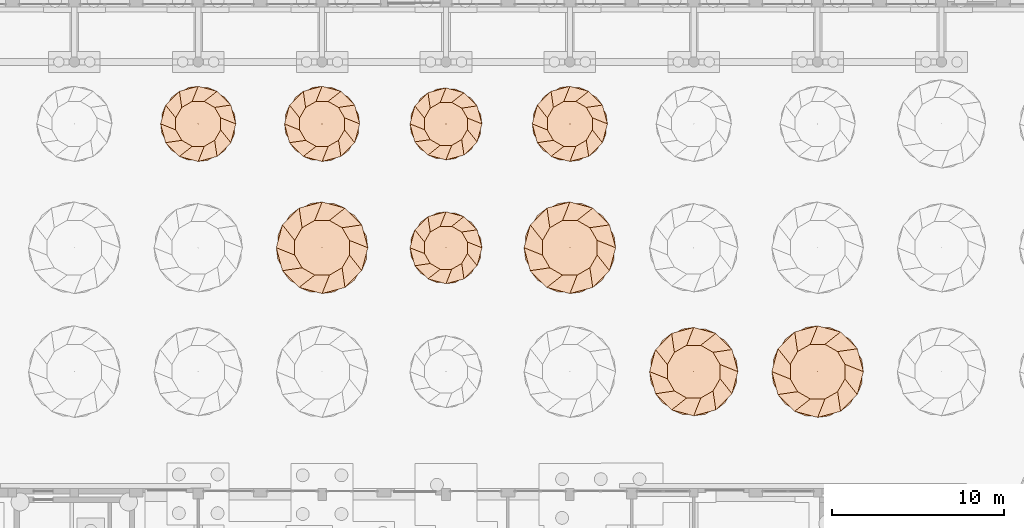
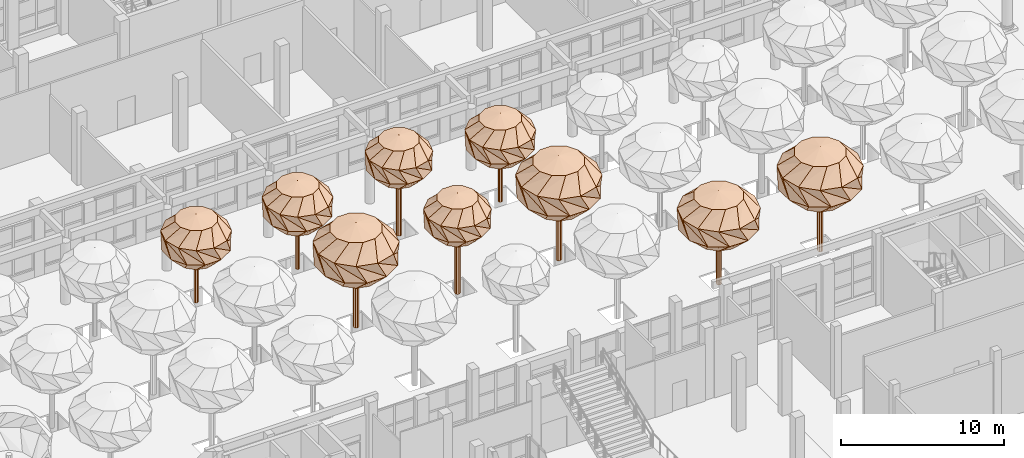
# One storey, part 78 of 80: 9 geographic elements.
"""IFC4 building model written with IfcOpenShell, lengths in metres."""

import ifcopenshell
import ifcopenshell.guid

model = None  # the IFC model being written
_history = None  # IfcOwnerHistory: only IFC2X3 demands one
_inside = {}  # id of a spatial element -> (the spatial element, [elements in it])
_under = {}  # id of a project, library or spatial element -> (it, [spatial elements below it])
_declared = {}  # id of a project -> (the project, [libraries it declares])
_typed = {}  # id of a type object -> (the type object, [elements of that type])
_made_of = {}  # id of a material, layer set ... -> (it, [elements and type objects made of it])


def new_model(schema):
    """Start an empty IFC model of exactly this schema.

    Asked for "IFC4X3", IfcOpenShell would pick the latest addendum, in which some entities
    have other attributes; the version numbers below select the first issue.
    IFC2X3 requires an IfcOwnerHistory on every rooted entity: one is made here for all.
    """
    global model, _history
    if schema == "IFC4X3":
        model = ifcopenshell.file(schema_version=(4, 3, 0, 0))
    else:
        model = ifcopenshell.file(schema=schema)
    _inside.clear()
    _under.clear()
    _declared.clear()
    _typed.clear()
    _made_of.clear()
    _history = None
    if model.schema == "IFC2X3":
        org = make("IfcOrganization", Name="unknown")
        user = make(
            "IfcPersonAndOrganization",
            ThePerson=make("IfcPerson", FamilyName="unknown"),
            TheOrganization=org,
        )
        app = make(
            "IfcApplication",
            ApplicationDeveloper=org,
            Version="unknown",
            ApplicationFullName="unknown",
            ApplicationIdentifier="unknown",
        )
        _history = make(
            "IfcOwnerHistory",
            OwningUser=user,
            OwningApplication=app,
            ChangeAction="ADDED",
            CreationDate=0,
        )
    return model


def make(cls, **values):
    """One entity of the class cls with the attributes given. An attribute that is None is left unset."""
    return model.create_entity(
        cls, **{name: value for name, value in values.items() if value is not None}
    )


def rooted(cls, **values):
    """An entity with a GlobalId (a new one), such as an element, a storey or a relation."""
    return make(cls, GlobalId=ifcopenshell.guid.new(), OwnerHistory=_history, **values)


def si_unit(unit_type, name, prefix=None):
    """IfcSIUnit, for example si_unit("LENGTHUNIT", "METRE", prefix="MILLI")."""
    return make("IfcSIUnit", UnitType=unit_type, Prefix=prefix, Name=name)


def assignment(units):
    """IfcUnitAssignment: the units of a project."""
    return None if units is None else make("IfcUnitAssignment", Units=units)


def point(xyz):
    """IfcCartesianPoint."""
    return None if xyz is None else make("IfcCartesianPoint", Coordinates=xyz)


def direction(xyz):
    """IfcDirection."""
    return None if xyz is None else make("IfcDirection", DirectionRatios=xyz)


def frame(location, z_axis=None, x_axis=None):
    """IfcAxis2Placement3D, a coordinate frame: its origin and axes. An axis left out is left unset."""
    return make(
        "IfcAxis2Placement3D",
        Location=point(location),
        Axis=direction(z_axis),
        RefDirection=direction(x_axis),
    )


def origin():
    """The frame at (0, 0, 0) with its axes left unset."""
    return frame((0.0, 0.0, 0.0))


def place(relative_to, where):
    """IfcLocalPlacement: puts the frame where relative to a parent placement (None: the world)."""
    return make(
        "IfcLocalPlacement", PlacementRelTo=relative_to, RelativePlacement=where
    )


def context(
    kind, dimensions, precision=None, world=None, true_north=None, identifier=None
):
    """IfcGeometricRepresentationContext, for example the 3D "Model" context."""
    return make(
        "IfcGeometricRepresentationContext",
        ContextIdentifier=identifier,
        ContextType=kind,
        CoordinateSpaceDimension=dimensions,
        Precision=precision,
        WorldCoordinateSystem=world,
        TrueNorth=true_north,
    )


def subcontext(parent, identifier, kind, view, scale=None):
    """IfcGeometricRepresentationSubContext, for example "Body" below "Model"."""
    return make(
        "IfcGeometricRepresentationSubContext",
        ContextIdentifier=identifier,
        ContextType=kind,
        ParentContext=parent,
        TargetScale=scale,
        TargetView=view,
    )


def project(units=None, contexts=None):
    """IfcProject with its units and contexts."""
    return rooted(
        "IfcProject",
        Name="project",
        RepresentationContexts=contexts,
        UnitsInContext=assignment(units),
    )


def spatial(cls, under=None, at=None, **own):
    """A site, building, storey or space (cls), placed at a placement, below another one or the project."""
    s = rooted(cls, ObjectPlacement=at, **own)
    if under is not None:
        _under.setdefault(under.id(), (under, []))[1].append(s)
    return s


def point_list(points):
    """IfcCartesianPointList2D or 3D."""
    cls = (
        "IfcCartesianPointList2D" if len(points[0]) == 2 else "IfcCartesianPointList3D"
    )
    return make(cls, CoordList=points)


def triangles(points, corners, closed=None, point_numbers=None):
    """IfcTriangulatedFaceSet: each triangle names its three corners, points numbered from 1."""
    return make(
        "IfcTriangulatedFaceSet",
        Coordinates=point_list(points),
        Closed=closed,
        CoordIndex=corners,
        PnIndex=point_numbers,
    )


def shape(context_of_items, identifier, shape_type, items):
    """IfcShapeRepresentation: the items that make up one representation, for example the "Body"."""
    return make(
        "IfcShapeRepresentation",
        ContextOfItems=context_of_items,
        RepresentationIdentifier=identifier,
        RepresentationType=shape_type,
        Items=items,
    )


def material(Name=None, Category=None):
    """IfcMaterial."""
    return make("IfcMaterial", Name=Name, Category=Category)


def made_of(thing, what):
    """Note that an element or type object is made of a material, layer set ...; save() writes the relation."""
    if what is not None:
        _made_of.setdefault(what.id(), (what, []))[1].append(thing)
    return thing


def type_object(cls, material=None, **own):
    """A type object (cls), such as IfcWallType, which elements share."""
    return made_of(rooted(cls, **own), material)


def element(
    cls,
    number,
    at=None,
    inside=None,
    cuts=None,
    type_object=None,
    material=None,
    context=None,
    identifier="Body",
    shape_type=None,
    held_by="IfcProductDefinitionShape",
    body=None,
    shapes=None,
    **own,
):
    """One element of the class cls, such as IfcWall. Its Tag is "e" and its number.

    at: its placement. inside: the storey or other place that contains it. cuts: it is an
    opening in that element (IfcRelVoidsElement). A single representation is given by context,
    identifier, shape_type and body (its items); several are given by shapes. held_by: the class
    of the entity that holds the representations. save() writes the other relations.
    """
    e = rooted(cls, Tag="e%d" % number, ObjectPlacement=at, **own)
    if body is not None:
        shapes = [shape(context, identifier, shape_type, body)]
    if shapes is not None:
        e.Representation = make(held_by, Representations=shapes)
    if inside is not None:
        _inside.setdefault(inside.id(), (inside, []))[1].append(e)
    if cuts is not None:
        rooted(
            "IfcRelVoidsElement", RelatingBuildingElement=cuts, RelatedOpeningElement=e
        )
    if type_object is not None:
        _typed.setdefault(type_object.id(), (type_object, []))[1].append(e)
    return made_of(e, material)


def aggregate(whole, parts):
    """IfcRelAggregates: a whole, such as a stair, and the parts it consists of."""
    return rooted("IfcRelAggregates", RelatingObject=whole, RelatedObjects=parts)


def save(model, path):
    """Write the relations noted so far, then the file.

    IfcRelAggregates (storeys below a building ...), IfcRelContainedInSpatialStructure (elements
    in a storey), IfcRelDefinesByType, IfcRelAssociatesMaterial and IfcRelDeclares: one each for
    every whole, place, type object, material and project.
    """
    for whole, parts in _under.values():
        aggregate(whole, parts)
    for where, things in _inside.values():
        rooted(
            "IfcRelContainedInSpatialStructure",
            RelatedElements=things,
            RelatingStructure=where,
        )
    for kind, things in _typed.values():
        rooted("IfcRelDefinesByType", RelatedObjects=things, RelatingType=kind)
    for what, things in _made_of.values():
        rooted("IfcRelAssociatesMaterial", RelatedObjects=things, RelatingMaterial=what)
    for by, libraries in _declared.values():
        rooted("IfcRelDeclares", RelatingContext=by, RelatedDefinitions=libraries)
    model.write(path)


model = new_model("IFC4")

# Units and contexts
model_context = context("Model", 3, precision=1e-05, world=origin(), true_north=direction((0.0, 1.0)))
body_context = subcontext(model_context, "Body", "Model", "MODEL_VIEW")
ifc_project = project(units=[si_unit("LENGTHUNIT", "METRE"), si_unit("AREAUNIT", "SQUARE_METRE"), si_unit("VOLUMEUNIT", "CUBIC_METRE"), si_unit("PLANEANGLEUNIT", "RADIAN"), si_unit("MASSUNIT", "GRAM", prefix="KILO")], contexts=[model_context])

# Site, building, storey
site_placement = place(None, origin())
site = spatial("IfcSite", under=ifc_project, at=site_placement, CompositionType="ELEMENT")
building_placement = place(site_placement, origin())
building = spatial("IfcBuilding", under=site, at=building_placement, Name="Ussher Court Research Institute", CompositionType="ELEMENT")
storey_placement = place(building_placement, origin())
storey = spatial("IfcBuildingStorey", under=building, at=storey_placement, Name="L00", CompositionType="ELEMENT", Elevation=0.0)

# Geographic elements
ifc_material_1 = material(Name="Tree foliage and trunk")
geographic_element_type_1 = type_object("IfcGeographicElementType", Name="African mahogany 7.8 m", PredefinedType="USERDEFINED", material=ifc_material_1)
geographic_element_1_placement = place(storey_placement, frame((75.0, 47.199951171875, -0.320068359375)))
element("IfcGeographicElement", 1, at=geographic_element_1_placement, inside=storey, type_object=geographic_element_type_1, Name="T20 African mahogany", ObjectType="TREE", PredefinedType="USERDEFINED", context=body_context, shape_type="Tessellation", body=[
    triangles([(0.1899, 0.0, 0.0), (0.1343, 0.1343, 0.0), (0.0, 0.1899, 0.0), (-0.1343, 0.1343, 0.0), (-0.1899, 0.0, 0.0), (-0.1343, -0.1343, 0.0), (0.0, -0.1899, 0.0), (0.1343, -0.1343, 0.0), (0.1899, 0.0, 4.8601), (0.1343, 0.1343, 4.8601), (0.0, 0.1899, 4.8601), (-0.1343, 0.1343, 4.8601), (-0.1899, 0.0, 4.8601), (-0.1343, -0.1343, 4.8601), (0.0, -0.1899, 4.8601), (0.1343, -0.1343, 4.8601), (0.0, 0.0, 7.8), (1.5897, 0.426, 7.399), (1.1638, 1.1638, 7.399), (0.426, 1.5897, 7.399), (-0.426, 1.5897, 7.399), (-1.1638, 1.1638, 7.399), (-1.5897, 0.426, 7.399), (-1.5897, -0.426, 7.399), (-1.1638, -1.1638, 7.399), (-0.426, -1.5897, 7.399), (0.426, -1.5897, 7.399), (1.1638, -1.1638, 7.399), (1.5897, -0.426, 7.399), (2.663, 0.0, 6.349), (2.3062, 1.3315, 6.349), (1.3315, 2.3062, 6.349), (0.0, 2.663, 6.349), (-1.3315, 2.3062, 6.349), (-2.3062, 1.3315, 6.349), (-2.663, 0.0, 6.349), (-2.3062, -1.3315, 6.349), (-1.3315, -2.3062, 6.349), (0.0, -2.663, 6.349), (1.3315, -2.3062, 6.349), (2.3062, -1.3315, 6.349), (2.5723, 0.6892, 5.0511), (1.883, 1.883, 5.0511), (0.6892, 2.5723, 5.0511), (-0.6892, 2.5723, 5.0511), (-1.883, 1.883, 5.0511), (-2.5723, 0.6892, 5.0511), (-2.5723, -0.6892, 5.0511), (-1.883, -1.883, 5.0511), (-0.6892, -2.5723, 5.0511), (0.6892, -2.5723, 5.0511), (1.883, -1.883, 5.0511), (2.5723, -0.6892, 5.0511), (1.6458, 0.0, 4.0012), (1.4253, 0.8229, 4.0012), (0.8229, 1.4253, 4.0012), (0.0, 1.6458, 4.0012), (-0.8229, 1.4253, 4.0012), (-1.4253, 0.8229, 4.0012), (-1.6458, 0.0, 4.0012), (-1.4253, -0.8229, 4.0012), (-0.8229, -1.4253, 4.0012), (0.0, -1.6458, 4.0012), (0.8229, -1.4253, 4.0012), (1.4253, -0.8229, 4.0012), (0.0, 0.0, 3.6001)], [[1, 2, 9], [2, 10, 9], [2, 3, 10], [3, 11, 10], [3, 4, 11], [4, 12, 11], [4, 5, 12], [5, 13, 12], [5, 6, 13], [6, 14, 13], [6, 7, 14], [7, 15, 14], [7, 8, 15], [8, 16, 15], [8, 1, 16], [1, 9, 16], [1, 3, 2], [9, 10, 11], [1, 4, 3], [9, 11, 12], [1, 5, 4], [9, 12, 13], [1, 6, 5], [9, 13, 14], [1, 7, 6], [9, 14, 15], [1, 8, 7], [9, 15, 16], [17, 18, 19], [17, 19, 20], [17, 20, 21], [17, 21, 22], [17, 22, 23], [17, 23, 24], [17, 24, 25], [17, 25, 26], [17, 26, 27], [17, 27, 28], [17, 28, 29], [17, 29, 18], [18, 30, 19], [19, 30, 31], [19, 31, 20], [20, 31, 32], [20, 32, 21], [21, 32, 33], [21, 33, 22], [22, 33, 34], [22, 34, 23], [23, 34, 35], [23, 35, 24], [24, 35, 36], [24, 36, 25], [25, 36, 37], [25, 37, 26], [26, 37, 38], [26, 38, 27], [27, 38, 39], [27, 39, 28], [28, 39, 40], [28, 40, 29], [29, 40, 41], [29, 41, 18], [18, 41, 30], [30, 43, 31], [30, 42, 43], [31, 44, 32], [31, 43, 44], [32, 45, 33], [32, 44, 45], [33, 46, 34], [33, 45, 46], [34, 47, 35], [34, 46, 47], [35, 48, 36], [35, 47, 48], [36, 49, 37], [36, 48, 49], [37, 50, 38], [37, 49, 50], [38, 51, 39], [38, 50, 51], [39, 52, 40], [39, 51, 52], [40, 53, 41], [40, 52, 53], [41, 42, 30], [41, 53, 42], [42, 54, 43], [43, 54, 55], [43, 55, 44], [44, 55, 56], [44, 56, 45], [45, 56, 57], [45, 57, 46], [46, 57, 58], [46, 58, 47], [47, 58, 59], [47, 59, 48], [48, 59, 60], [48, 60, 49], [49, 60, 61], [49, 61, 50], [50, 61, 62], [50, 62, 51], [51, 62, 63], [51, 63, 52], [52, 63, 64], [52, 64, 53], [53, 64, 65], [53, 65, 42], [42, 65, 54], [66, 55, 54], [66, 56, 55], [66, 57, 56], [66, 58, 57], [66, 59, 58], [66, 60, 59], [66, 61, 60], [66, 62, 61], [66, 63, 62], [66, 64, 63], [66, 65, 64], [66, 54, 65]], closed=False),
])
geographic_element_2_placement = place(storey_placement, frame((46.199951171875, 54.39990234375, -0.320068359375)))
element("IfcGeographicElement", 2, at=geographic_element_2_placement, inside=storey, type_object=geographic_element_type_1, Name="T24 African mahogany", ObjectType="TREE", PredefinedType="USERDEFINED", context=body_context, shape_type="Tessellation", body=[
    triangles([(0.1899, 0.0, 0.0), (0.1343, 0.1343, 0.0), (0.0, 0.1899, 0.0), (-0.1343, 0.1343, 0.0), (-0.1899, 0.0, 0.0), (-0.1343, -0.1343, 0.0), (0.0, -0.1899, 0.0), (0.1343, -0.1343, 0.0), (0.1899, 0.0, 4.8601), (0.1343, 0.1343, 4.8601), (0.0, 0.1899, 4.8601), (-0.1343, 0.1343, 4.8601), (-0.1899, 0.0, 4.8601), (-0.1343, -0.1343, 4.8601), (0.0, -0.1899, 4.8601), (0.1343, -0.1343, 4.8601), (0.0, 0.0, 7.8), (1.5897, 0.426, 7.399), (1.1638, 1.1638, 7.399), (0.426, 1.5897, 7.399), (-0.426, 1.5897, 7.399), (-1.1638, 1.1638, 7.399), (-1.5897, 0.426, 7.399), (-1.5897, -0.426, 7.399), (-1.1638, -1.1638, 7.399), (-0.426, -1.5897, 7.399), (0.426, -1.5897, 7.399), (1.1638, -1.1638, 7.399), (1.5897, -0.426, 7.399), (2.663, 0.0, 6.349), (2.3062, 1.3315, 6.349), (1.3315, 2.3062, 6.349), (0.0, 2.663, 6.349), (-1.3315, 2.3062, 6.349), (-2.3062, 1.3315, 6.349), (-2.663, 0.0, 6.349), (-2.3062, -1.3315, 6.349), (-1.3315, -2.3062, 6.349), (0.0, -2.663, 6.349), (1.3315, -2.3062, 6.349), (2.3062, -1.3315, 6.349), (2.5723, 0.6892, 5.0511), (1.883, 1.883, 5.0511), (0.6892, 2.5723, 5.0511), (-0.6892, 2.5723, 5.0511), (-1.883, 1.883, 5.0511), (-2.5723, 0.6892, 5.0511), (-2.5723, -0.6892, 5.0511), (-1.883, -1.883, 5.0511), (-0.6892, -2.5723, 5.0511), (0.6892, -2.5723, 5.0511), (1.883, -1.883, 5.0511), (2.5723, -0.6892, 5.0511), (1.6458, 0.0, 4.0012), (1.4253, 0.8229, 4.0012), (0.8229, 1.4253, 4.0012), (0.0, 1.6458, 4.0012), (-0.8229, 1.4253, 4.0012), (-1.4253, 0.8229, 4.0012), (-1.6458, 0.0, 4.0012), (-1.4253, -0.8229, 4.0012), (-0.8229, -1.4253, 4.0012), (0.0, -1.6458, 4.0012), (0.8229, -1.4253, 4.0012), (1.4253, -0.8229, 4.0012), (0.0, 0.0, 3.6001)], [[1, 2, 9], [2, 10, 9], [2, 3, 10], [3, 11, 10], [3, 4, 11], [4, 12, 11], [4, 5, 12], [5, 13, 12], [5, 6, 13], [6, 14, 13], [6, 7, 14], [7, 15, 14], [7, 8, 15], [8, 16, 15], [8, 1, 16], [1, 9, 16], [1, 3, 2], [9, 10, 11], [1, 4, 3], [9, 11, 12], [1, 5, 4], [9, 12, 13], [1, 6, 5], [9, 13, 14], [1, 7, 6], [9, 14, 15], [1, 8, 7], [9, 15, 16], [17, 18, 19], [17, 19, 20], [17, 20, 21], [17, 21, 22], [17, 22, 23], [17, 23, 24], [17, 24, 25], [17, 25, 26], [17, 26, 27], [17, 27, 28], [17, 28, 29], [17, 29, 18], [18, 30, 19], [19, 30, 31], [19, 31, 20], [20, 31, 32], [20, 32, 21], [21, 32, 33], [21, 33, 22], [22, 33, 34], [22, 34, 23], [23, 34, 35], [23, 35, 24], [24, 35, 36], [24, 36, 25], [25, 36, 37], [25, 37, 26], [26, 37, 38], [26, 38, 27], [27, 38, 39], [27, 39, 28], [28, 39, 40], [28, 40, 29], [29, 40, 41], [29, 41, 18], [18, 41, 30], [30, 43, 31], [30, 42, 43], [31, 44, 32], [31, 43, 44], [32, 45, 33], [32, 44, 45], [33, 46, 34], [33, 45, 46], [34, 47, 35], [34, 46, 47], [35, 48, 36], [35, 47, 48], [36, 49, 37], [36, 48, 49], [37, 50, 38], [37, 49, 50], [38, 51, 39], [38, 50, 51], [39, 52, 40], [39, 51, 52], [40, 53, 41], [40, 52, 53], [41, 42, 30], [41, 53, 42], [42, 54, 43], [43, 54, 55], [43, 55, 44], [44, 55, 56], [44, 56, 45], [45, 56, 57], [45, 57, 46], [46, 57, 58], [46, 58, 47], [47, 58, 59], [47, 59, 48], [48, 59, 60], [48, 60, 49], [49, 60, 61], [49, 61, 50], [50, 61, 62], [50, 62, 51], [51, 62, 63], [51, 63, 52], [52, 63, 64], [52, 64, 53], [53, 64, 65], [53, 65, 42], [42, 65, 54], [66, 55, 54], [66, 56, 55], [66, 57, 56], [66, 58, 57], [66, 59, 58], [66, 60, 59], [66, 61, 60], [66, 62, 61], [66, 63, 62], [66, 64, 63], [66, 65, 64], [66, 54, 65]], closed=False),
])
geographic_element_3_placement = place(storey_placement, frame((60.60009765625, 54.39990234375, -0.320068359375)))
element("IfcGeographicElement", 3, at=geographic_element_3_placement, inside=storey, type_object=geographic_element_type_1, Name="T25 African mahogany", ObjectType="TREE", PredefinedType="USERDEFINED", context=body_context, shape_type="Tessellation", body=[
    triangles([(0.1899, 0.0, 0.0), (0.1343, 0.1343, 0.0), (0.0, 0.1899, 0.0), (-0.1343, 0.1343, 0.0), (-0.1899, 0.0, 0.0), (-0.1343, -0.1343, 0.0), (0.0, -0.1899, 0.0), (0.1343, -0.1343, 0.0), (0.1899, 0.0, 4.8601), (0.1343, 0.1343, 4.8601), (0.0, 0.1899, 4.8601), (-0.1343, 0.1343, 4.8601), (-0.1899, 0.0, 4.8601), (-0.1343, -0.1343, 4.8601), (0.0, -0.1899, 4.8601), (0.1343, -0.1343, 4.8601), (0.0, 0.0, 7.8), (1.5897, 0.426, 7.399), (1.1638, 1.1638, 7.399), (0.426, 1.5897, 7.399), (-0.426, 1.5897, 7.399), (-1.1638, 1.1638, 7.399), (-1.5897, 0.426, 7.399), (-1.5897, -0.426, 7.399), (-1.1638, -1.1638, 7.399), (-0.426, -1.5897, 7.399), (0.426, -1.5897, 7.399), (1.1638, -1.1638, 7.399), (1.5897, -0.426, 7.399), (2.663, 0.0, 6.349), (2.3062, 1.3315, 6.349), (1.3315, 2.3062, 6.349), (0.0, 2.663, 6.349), (-1.3315, 2.3062, 6.349), (-2.3062, 1.3315, 6.349), (-2.663, 0.0, 6.349), (-2.3062, -1.3315, 6.349), (-1.3315, -2.3062, 6.349), (0.0, -2.663, 6.349), (1.3315, -2.3062, 6.349), (2.3062, -1.3315, 6.349), (2.5723, 0.6892, 5.0511), (1.883, 1.883, 5.0511), (0.6892, 2.5723, 5.0511), (-0.6892, 2.5723, 5.0511), (-1.883, 1.883, 5.0511), (-2.5723, 0.6892, 5.0511), (-2.5723, -0.6892, 5.0511), (-1.883, -1.883, 5.0511), (-0.6892, -2.5723, 5.0511), (0.6892, -2.5723, 5.0511), (1.883, -1.883, 5.0511), (2.5723, -0.6892, 5.0511), (1.6458, 0.0, 4.0012), (1.4253, 0.8229, 4.0012), (0.8229, 1.4253, 4.0012), (0.0, 1.6458, 4.0012), (-0.8229, 1.4253, 4.0012), (-1.4253, 0.8229, 4.0012), (-1.6458, 0.0, 4.0012), (-1.4253, -0.8229, 4.0012), (-0.8229, -1.4253, 4.0012), (0.0, -1.6458, 4.0012), (0.8229, -1.4253, 4.0012), (1.4253, -0.8229, 4.0012), (0.0, 0.0, 3.6001)], [[1, 2, 9], [2, 10, 9], [2, 3, 10], [3, 11, 10], [3, 4, 11], [4, 12, 11], [4, 5, 12], [5, 13, 12], [5, 6, 13], [6, 14, 13], [6, 7, 14], [7, 15, 14], [7, 8, 15], [8, 16, 15], [8, 1, 16], [1, 9, 16], [1, 3, 2], [9, 10, 11], [1, 4, 3], [9, 11, 12], [1, 5, 4], [9, 12, 13], [1, 6, 5], [9, 13, 14], [1, 7, 6], [9, 14, 15], [1, 8, 7], [9, 15, 16], [17, 18, 19], [17, 19, 20], [17, 20, 21], [17, 21, 22], [17, 22, 23], [17, 23, 24], [17, 24, 25], [17, 25, 26], [17, 26, 27], [17, 27, 28], [17, 28, 29], [17, 29, 18], [18, 30, 19], [19, 30, 31], [19, 31, 20], [20, 31, 32], [20, 32, 21], [21, 32, 33], [21, 33, 22], [22, 33, 34], [22, 34, 23], [23, 34, 35], [23, 35, 24], [24, 35, 36], [24, 36, 25], [25, 36, 37], [25, 37, 26], [26, 37, 38], [26, 38, 27], [27, 38, 39], [27, 39, 28], [28, 39, 40], [28, 40, 29], [29, 40, 41], [29, 41, 18], [18, 41, 30], [30, 43, 31], [30, 42, 43], [31, 44, 32], [31, 43, 44], [32, 45, 33], [32, 44, 45], [33, 46, 34], [33, 45, 46], [34, 47, 35], [34, 46, 47], [35, 48, 36], [35, 47, 48], [36, 49, 37], [36, 48, 49], [37, 50, 38], [37, 49, 50], [38, 51, 39], [38, 50, 51], [39, 52, 40], [39, 51, 52], [40, 53, 41], [40, 52, 53], [41, 42, 30], [41, 53, 42], [42, 54, 43], [43, 54, 55], [43, 55, 44], [44, 55, 56], [44, 56, 45], [45, 56, 57], [45, 57, 46], [46, 57, 58], [46, 58, 47], [47, 58, 59], [47, 59, 48], [48, 59, 60], [48, 60, 49], [49, 60, 61], [49, 61, 50], [50, 61, 62], [50, 62, 51], [51, 62, 63], [51, 63, 52], [52, 63, 64], [52, 64, 53], [53, 64, 65], [53, 65, 42], [42, 65, 54], [66, 55, 54], [66, 56, 55], [66, 57, 56], [66, 58, 57], [66, 59, 58], [66, 60, 59], [66, 61, 60], [66, 62, 61], [66, 63, 62], [66, 64, 63], [66, 65, 64], [66, 54, 65]], closed=False),
])
ifc_material_2 = material(Name="Tree foliage and trunk")
geographic_element_type_2 = type_object("IfcGeographicElementType", Name="Golden shower tree 6.6 m", PredefinedType="USERDEFINED", material=ifc_material_2)
geographic_element_4_placement = place(storey_placement, frame((39.0, 61.60009765625, -0.320068359375)))
element("IfcGeographicElement", 4, at=geographic_element_4_placement, inside=storey, type_object=geographic_element_type_2, Name="T33 Golden shower tree", ObjectType="TREE", PredefinedType="USERDEFINED", context=body_context, shape_type="Tessellation", body=[
    triangles([(0.14, 0.0, 0.0), (0.099, 0.099, 0.0), (0.0, 0.14, 0.0), (-0.099, 0.099, 0.0), (-0.14, 0.0, 0.0), (-0.099, -0.099, 0.0), (0.0, -0.14, 0.0), (0.099, -0.099, 0.0), (0.14, 0.0, 4.08), (0.099, 0.099, 4.08), (0.0, 0.14, 4.08), (-0.099, 0.099, 4.08), (-0.14, 0.0, 4.08), (-0.099, -0.099, 4.08), (0.0, -0.14, 4.08), (0.099, -0.099, 4.08), (0.0, 0.0, 6.6001), (1.3059, 0.3499, 6.2563), (0.956, 0.956, 6.2563), (0.3499, 1.3059, 6.2563), (-0.3499, 1.3059, 6.2563), (-0.956, 0.956, 6.2563), (-1.3059, 0.3499, 6.2563), (-1.3059, -0.3499, 6.2563), (-0.956, -0.956, 6.2563), (-0.3499, -1.3059, 6.2563), (0.3499, -1.3059, 6.2563), (0.956, -0.956, 6.2563), (1.3059, -0.3499, 6.2563), (2.1875, 0.0, 5.3563), (1.8944, 1.0937, 5.3563), (1.0937, 1.8944, 5.3563), (0.0, 2.1875, 5.3563), (-1.0937, 1.8944, 5.3563), (-1.8944, 1.0937, 5.3563), (-2.1875, 0.0, 5.3563), (-1.8944, -1.0937, 5.3563), (-1.0937, -1.8944, 5.3563), (0.0, -2.1875, 5.3563), (1.0937, -1.8944, 5.3563), (1.8944, -1.0937, 5.3563), (2.1129, 0.5662, 4.2438), (1.5468, 1.5468, 4.2438), (0.5662, 2.1129, 4.2438), (-0.5662, 2.1129, 4.2438), (-1.5468, 1.5468, 4.2438), (-2.1129, 0.5662, 4.2438), (-2.1129, -0.5662, 4.2438), (-1.5468, -1.5468, 4.2438), (-0.5662, -2.1129, 4.2438), (0.5662, -2.1129, 4.2438), (1.5468, -1.5468, 4.2438), (2.1129, -0.5662, 4.2438), (1.3519, 0.0, 3.3438), (1.1708, 0.676, 3.3438), (0.676, 1.1708, 3.3438), (0.0, 1.3519, 3.3438), (-0.676, 1.1708, 3.3438), (-1.1708, 0.676, 3.3438), (-1.3519, 0.0, 3.3438), (-1.1708, -0.676, 3.3438), (-0.676, -1.1708, 3.3438), (0.0, -1.3519, 3.3438), (0.676, -1.1708, 3.3438), (1.1708, -0.676, 3.3438), (0.0, 0.0, 3.0)], [[1, 2, 9], [2, 10, 9], [2, 3, 10], [3, 11, 10], [3, 4, 11], [4, 12, 11], [4, 5, 12], [5, 13, 12], [5, 6, 13], [6, 14, 13], [6, 7, 14], [7, 15, 14], [7, 8, 15], [8, 16, 15], [8, 1, 16], [1, 9, 16], [1, 3, 2], [9, 10, 11], [1, 4, 3], [9, 11, 12], [1, 5, 4], [9, 12, 13], [1, 6, 5], [9, 13, 14], [1, 7, 6], [9, 14, 15], [1, 8, 7], [9, 15, 16], [17, 18, 19], [17, 19, 20], [17, 20, 21], [17, 21, 22], [17, 22, 23], [17, 23, 24], [17, 24, 25], [17, 25, 26], [17, 26, 27], [17, 27, 28], [17, 28, 29], [17, 29, 18], [18, 30, 19], [19, 30, 31], [19, 31, 20], [20, 31, 32], [20, 32, 21], [21, 32, 33], [21, 33, 22], [22, 33, 34], [22, 34, 23], [23, 34, 35], [23, 35, 24], [24, 35, 36], [24, 36, 25], [25, 36, 37], [25, 37, 26], [26, 37, 38], [26, 38, 27], [27, 38, 39], [27, 39, 28], [28, 39, 40], [28, 40, 29], [29, 40, 41], [29, 41, 18], [18, 41, 30], [30, 43, 31], [30, 42, 43], [31, 44, 32], [31, 43, 44], [32, 45, 33], [32, 44, 45], [33, 46, 34], [33, 45, 46], [34, 47, 35], [34, 46, 47], [35, 48, 36], [35, 47, 48], [36, 49, 37], [36, 48, 49], [37, 50, 38], [37, 49, 50], [38, 51, 39], [38, 50, 51], [39, 52, 40], [39, 51, 52], [40, 53, 41], [40, 52, 53], [41, 42, 30], [41, 53, 42], [42, 54, 43], [43, 54, 55], [43, 55, 44], [44, 55, 56], [44, 56, 45], [45, 56, 57], [45, 57, 46], [46, 57, 58], [46, 58, 47], [47, 58, 59], [47, 59, 48], [48, 59, 60], [48, 60, 49], [49, 60, 61], [49, 61, 50], [50, 61, 62], [50, 62, 51], [51, 62, 63], [51, 63, 52], [52, 63, 64], [52, 64, 53], [53, 64, 65], [53, 65, 42], [42, 65, 54], [66, 55, 54], [66, 56, 55], [66, 57, 56], [66, 58, 57], [66, 59, 58], [66, 60, 59], [66, 61, 60], [66, 62, 61], [66, 63, 62], [66, 64, 63], [66, 65, 64], [66, 54, 65]], closed=False),
])
geographic_element_5_placement = place(storey_placement, frame((46.199951171875, 61.60009765625, -0.320068359375)))
element("IfcGeographicElement", 5, at=geographic_element_5_placement, inside=storey, type_object=geographic_element_type_2, Name="T34 Golden shower tree", ObjectType="TREE", PredefinedType="USERDEFINED", context=body_context, shape_type="Tessellation", body=[
    triangles([(0.14, 0.0, 0.0), (0.099, 0.099, 0.0), (0.0, 0.14, 0.0), (-0.099, 0.099, 0.0), (-0.14, 0.0, 0.0), (-0.099, -0.099, 0.0), (0.0, -0.14, 0.0), (0.099, -0.099, 0.0), (0.14, 0.0, 4.08), (0.099, 0.099, 4.08), (0.0, 0.14, 4.08), (-0.099, 0.099, 4.08), (-0.14, 0.0, 4.08), (-0.099, -0.099, 4.08), (0.0, -0.14, 4.08), (0.099, -0.099, 4.08), (0.0, 0.0, 6.6001), (1.3059, 0.3499, 6.2563), (0.956, 0.956, 6.2563), (0.3499, 1.3059, 6.2563), (-0.3499, 1.3059, 6.2563), (-0.956, 0.956, 6.2563), (-1.3059, 0.3499, 6.2563), (-1.3059, -0.3499, 6.2563), (-0.956, -0.956, 6.2563), (-0.3499, -1.3059, 6.2563), (0.3499, -1.3059, 6.2563), (0.956, -0.956, 6.2563), (1.3059, -0.3499, 6.2563), (2.1875, 0.0, 5.3563), (1.8944, 1.0937, 5.3563), (1.0937, 1.8944, 5.3563), (0.0, 2.1875, 5.3563), (-1.0937, 1.8944, 5.3563), (-1.8944, 1.0937, 5.3563), (-2.1875, 0.0, 5.3563), (-1.8944, -1.0937, 5.3563), (-1.0937, -1.8944, 5.3563), (0.0, -2.1875, 5.3563), (1.0937, -1.8944, 5.3563), (1.8944, -1.0937, 5.3563), (2.1129, 0.5662, 4.2438), (1.5468, 1.5468, 4.2438), (0.5662, 2.1129, 4.2438), (-0.5662, 2.1129, 4.2438), (-1.5468, 1.5468, 4.2438), (-2.1129, 0.5662, 4.2438), (-2.1129, -0.5662, 4.2438), (-1.5468, -1.5468, 4.2438), (-0.5662, -2.1129, 4.2438), (0.5662, -2.1129, 4.2438), (1.5468, -1.5468, 4.2438), (2.1129, -0.5662, 4.2438), (1.3519, 0.0, 3.3438), (1.1708, 0.676, 3.3438), (0.676, 1.1708, 3.3438), (0.0, 1.3519, 3.3438), (-0.676, 1.1708, 3.3438), (-1.1708, 0.676, 3.3438), (-1.3519, 0.0, 3.3438), (-1.1708, -0.676, 3.3438), (-0.676, -1.1708, 3.3438), (0.0, -1.3519, 3.3438), (0.676, -1.1708, 3.3438), (1.1708, -0.676, 3.3438), (0.0, 0.0, 3.0)], [[1, 2, 9], [2, 10, 9], [2, 3, 10], [3, 11, 10], [3, 4, 11], [4, 12, 11], [4, 5, 12], [5, 13, 12], [5, 6, 13], [6, 14, 13], [6, 7, 14], [7, 15, 14], [7, 8, 15], [8, 16, 15], [8, 1, 16], [1, 9, 16], [1, 3, 2], [9, 10, 11], [1, 4, 3], [9, 11, 12], [1, 5, 4], [9, 12, 13], [1, 6, 5], [9, 13, 14], [1, 7, 6], [9, 14, 15], [1, 8, 7], [9, 15, 16], [17, 18, 19], [17, 19, 20], [17, 20, 21], [17, 21, 22], [17, 22, 23], [17, 23, 24], [17, 24, 25], [17, 25, 26], [17, 26, 27], [17, 27, 28], [17, 28, 29], [17, 29, 18], [18, 30, 19], [19, 30, 31], [19, 31, 20], [20, 31, 32], [20, 32, 21], [21, 32, 33], [21, 33, 22], [22, 33, 34], [22, 34, 23], [23, 34, 35], [23, 35, 24], [24, 35, 36], [24, 36, 25], [25, 36, 37], [25, 37, 26], [26, 37, 38], [26, 38, 27], [27, 38, 39], [27, 39, 28], [28, 39, 40], [28, 40, 29], [29, 40, 41], [29, 41, 18], [18, 41, 30], [30, 43, 31], [30, 42, 43], [31, 44, 32], [31, 43, 44], [32, 45, 33], [32, 44, 45], [33, 46, 34], [33, 45, 46], [34, 47, 35], [34, 46, 47], [35, 48, 36], [35, 47, 48], [36, 49, 37], [36, 48, 49], [37, 50, 38], [37, 49, 50], [38, 51, 39], [38, 50, 51], [39, 52, 40], [39, 51, 52], [40, 53, 41], [40, 52, 53], [41, 42, 30], [41, 53, 42], [42, 54, 43], [43, 54, 55], [43, 55, 44], [44, 55, 56], [44, 56, 45], [45, 56, 57], [45, 57, 46], [46, 57, 58], [46, 58, 47], [47, 58, 59], [47, 59, 48], [48, 59, 60], [48, 60, 49], [49, 60, 61], [49, 61, 50], [50, 61, 62], [50, 62, 51], [51, 62, 63], [51, 63, 52], [52, 63, 64], [52, 64, 53], [53, 64, 65], [53, 65, 42], [42, 65, 54], [66, 55, 54], [66, 56, 55], [66, 57, 56], [66, 58, 57], [66, 59, 58], [66, 60, 59], [66, 61, 60], [66, 62, 61], [66, 63, 62], [66, 64, 63], [66, 65, 64], [66, 54, 65]], closed=False),
])
geographic_element_6_placement = place(storey_placement, frame((60.60009765625, 61.60009765625, -0.320068359375)))
element("IfcGeographicElement", 6, at=geographic_element_6_placement, inside=storey, type_object=geographic_element_type_2, Name="T35 Golden shower tree", ObjectType="TREE", PredefinedType="USERDEFINED", context=body_context, shape_type="Tessellation", body=[
    triangles([(0.14, 0.0, 0.0), (0.099, 0.099, 0.0), (0.0, 0.14, 0.0), (-0.099, 0.099, 0.0), (-0.14, 0.0, 0.0), (-0.099, -0.099, 0.0), (0.0, -0.14, 0.0), (0.099, -0.099, 0.0), (0.14, 0.0, 4.08), (0.099, 0.099, 4.08), (0.0, 0.14, 4.08), (-0.099, 0.099, 4.08), (-0.14, 0.0, 4.08), (-0.099, -0.099, 4.08), (0.0, -0.14, 4.08), (0.099, -0.099, 4.08), (0.0, 0.0, 6.6001), (1.3059, 0.3499, 6.2563), (0.956, 0.956, 6.2563), (0.3499, 1.3059, 6.2563), (-0.3499, 1.3059, 6.2563), (-0.956, 0.956, 6.2563), (-1.3059, 0.3499, 6.2563), (-1.3059, -0.3499, 6.2563), (-0.956, -0.956, 6.2563), (-0.3499, -1.3059, 6.2563), (0.3499, -1.3059, 6.2563), (0.956, -0.956, 6.2563), (1.3059, -0.3499, 6.2563), (2.1875, 0.0, 5.3563), (1.8944, 1.0937, 5.3563), (1.0937, 1.8944, 5.3563), (0.0, 2.1875, 5.3563), (-1.0937, 1.8944, 5.3563), (-1.8944, 1.0937, 5.3563), (-2.1875, 0.0, 5.3563), (-1.8944, -1.0937, 5.3563), (-1.0937, -1.8944, 5.3563), (0.0, -2.1875, 5.3563), (1.0937, -1.8944, 5.3563), (1.8944, -1.0937, 5.3563), (2.1129, 0.5662, 4.2438), (1.5468, 1.5468, 4.2438), (0.5662, 2.1129, 4.2438), (-0.5662, 2.1129, 4.2438), (-1.5468, 1.5468, 4.2438), (-2.1129, 0.5662, 4.2438), (-2.1129, -0.5662, 4.2438), (-1.5468, -1.5468, 4.2438), (-0.5662, -2.1129, 4.2438), (0.5662, -2.1129, 4.2438), (1.5468, -1.5468, 4.2438), (2.1129, -0.5662, 4.2438), (1.3519, 0.0, 3.3438), (1.1708, 0.676, 3.3438), (0.676, 1.1708, 3.3438), (0.0, 1.3519, 3.3438), (-0.676, 1.1708, 3.3438), (-1.1708, 0.676, 3.3438), (-1.3519, 0.0, 3.3438), (-1.1708, -0.676, 3.3438), (-0.676, -1.1708, 3.3438), (0.0, -1.3519, 3.3438), (0.676, -1.1708, 3.3438), (1.1708, -0.676, 3.3438), (0.0, 0.0, 3.0)], [[1, 2, 9], [2, 10, 9], [2, 3, 10], [3, 11, 10], [3, 4, 11], [4, 12, 11], [4, 5, 12], [5, 13, 12], [5, 6, 13], [6, 14, 13], [6, 7, 14], [7, 15, 14], [7, 8, 15], [8, 16, 15], [8, 1, 16], [1, 9, 16], [1, 3, 2], [9, 10, 11], [1, 4, 3], [9, 11, 12], [1, 5, 4], [9, 12, 13], [1, 6, 5], [9, 13, 14], [1, 7, 6], [9, 14, 15], [1, 8, 7], [9, 15, 16], [17, 18, 19], [17, 19, 20], [17, 20, 21], [17, 21, 22], [17, 22, 23], [17, 23, 24], [17, 24, 25], [17, 25, 26], [17, 26, 27], [17, 27, 28], [17, 28, 29], [17, 29, 18], [18, 30, 19], [19, 30, 31], [19, 31, 20], [20, 31, 32], [20, 32, 21], [21, 32, 33], [21, 33, 22], [22, 33, 34], [22, 34, 23], [23, 34, 35], [23, 35, 24], [24, 35, 36], [24, 36, 25], [25, 36, 37], [25, 37, 26], [26, 37, 38], [26, 38, 27], [27, 38, 39], [27, 39, 28], [28, 39, 40], [28, 40, 29], [29, 40, 41], [29, 41, 18], [18, 41, 30], [30, 43, 31], [30, 42, 43], [31, 44, 32], [31, 43, 44], [32, 45, 33], [32, 44, 45], [33, 46, 34], [33, 45, 46], [34, 47, 35], [34, 46, 47], [35, 48, 36], [35, 47, 48], [36, 49, 37], [36, 48, 49], [37, 50, 38], [37, 49, 50], [38, 51, 39], [38, 50, 51], [39, 52, 40], [39, 51, 52], [40, 53, 41], [40, 52, 53], [41, 42, 30], [41, 53, 42], [42, 54, 43], [43, 54, 55], [43, 55, 44], [44, 55, 56], [44, 56, 45], [45, 56, 57], [45, 57, 46], [46, 57, 58], [46, 58, 47], [47, 58, 59], [47, 59, 48], [48, 59, 60], [48, 60, 49], [49, 60, 61], [49, 61, 50], [50, 61, 62], [50, 62, 51], [51, 62, 63], [51, 63, 52], [52, 63, 64], [52, 64, 53], [53, 64, 65], [53, 65, 42], [42, 65, 54], [66, 55, 54], [66, 56, 55], [66, 57, 56], [66, 58, 57], [66, 59, 58], [66, 60, 59], [66, 61, 60], [66, 62, 61], [66, 63, 62], [66, 64, 63], [66, 65, 64], [66, 54, 65]], closed=False),
])
ifc_material_3 = material(Name="Tree foliage and trunk")
geographic_element_type_3 = type_object("IfcGeographicElementType", Name="Indian almond 7.0 m", PredefinedType="USERDEFINED", material=ifc_material_3)
geographic_element_7_placement = place(storey_placement, frame((67.800048828125, 47.199951171875, -0.320068359375)))
element("IfcGeographicElement", 7, at=geographic_element_7_placement, inside=storey, type_object=geographic_element_type_3, Name="T07 Indian almond", ObjectType="TREE", PredefinedType="USERDEFINED", context=body_context, shape_type="Tessellation", body=[
    triangles([(0.16, 0.0, 0.0), (0.1132, 0.1132, 0.0), (0.0, 0.16, 0.0), (-0.1132, 0.1132, 0.0), (-0.16, 0.0, 0.0), (-0.1132, -0.1132, 0.0), (0.0, -0.16, 0.0), (0.1132, -0.1132, 0.0), (0.16, 0.0, 4.34), (0.1132, 0.1132, 4.34), (0.0, 0.16, 4.34), (-0.1132, 0.1132, 4.34), (-0.16, 0.0, 4.34), (-0.1132, -0.1132, 4.34), (0.0, -0.16, 4.34), (0.1132, -0.1132, 4.34), (0.0, 0.0, 7.0), (1.5329, 0.4107, 6.6371), (1.1222, 1.1222, 6.6371), (0.4107, 1.5329, 6.6371), (-0.4107, 1.5329, 6.6371), (-1.1222, 1.1222, 6.6371), (-1.5329, 0.4107, 6.6371), (-1.5329, -0.4107, 6.6371), (-1.1222, -1.1222, 6.6371), (-0.4107, -1.5329, 6.6371), (0.4107, -1.5329, 6.6371), (1.1222, -1.1222, 6.6371), (1.5329, -0.4107, 6.6371), (2.5678, 0.0, 5.6871), (2.2238, 1.2839, 5.6871), (1.2839, 2.2238, 5.6871), (0.0, 2.5678, 5.6871), (-1.2839, 2.2238, 5.6871), (-2.2238, 1.2839, 5.6871), (-2.5678, 0.0, 5.6871), (-2.2238, -1.2839, 5.6871), (-1.2839, -2.2238, 5.6871), (0.0, -2.5678, 5.6871), (1.2839, -2.2238, 5.6871), (2.2238, -1.2839, 5.6871), (2.4803, 0.6646, 4.5128), (1.8157, 1.8157, 4.5128), (0.6646, 2.4803, 4.5128), (-0.6646, 2.4803, 4.5128), (-1.8157, 1.8157, 4.5128), (-2.4803, 0.6646, 4.5128), (-2.4803, -0.6646, 4.5128), (-1.8157, -1.8157, 4.5128), (-0.6646, -2.4803, 4.5128), (0.6646, -2.4803, 4.5128), (1.8157, -1.8157, 4.5128), (2.4803, -0.6646, 4.5128), (1.587, 0.0, 3.5628), (1.3744, 0.7935, 3.5628), (0.7935, 1.3744, 3.5628), (0.0, 1.587, 3.5628), (-0.7935, 1.3744, 3.5628), (-1.3744, 0.7935, 3.5628), (-1.587, 0.0, 3.5628), (-1.3744, -0.7935, 3.5628), (-0.7935, -1.3744, 3.5628), (0.0, -1.587, 3.5628), (0.7935, -1.3744, 3.5628), (1.3744, -0.7935, 3.5628), (0.0, 0.0, 3.2)], [[1, 2, 9], [2, 10, 9], [2, 3, 10], [3, 11, 10], [3, 4, 11], [4, 12, 11], [4, 5, 12], [5, 13, 12], [5, 6, 13], [6, 14, 13], [6, 7, 14], [7, 15, 14], [7, 8, 15], [8, 16, 15], [8, 1, 16], [1, 9, 16], [1, 3, 2], [9, 10, 11], [1, 4, 3], [9, 11, 12], [1, 5, 4], [9, 12, 13], [1, 6, 5], [9, 13, 14], [1, 7, 6], [9, 14, 15], [1, 8, 7], [9, 15, 16], [17, 18, 19], [17, 19, 20], [17, 20, 21], [17, 21, 22], [17, 22, 23], [17, 23, 24], [17, 24, 25], [17, 25, 26], [17, 26, 27], [17, 27, 28], [17, 28, 29], [17, 29, 18], [18, 30, 19], [19, 30, 31], [19, 31, 20], [20, 31, 32], [20, 32, 21], [21, 32, 33], [21, 33, 22], [22, 33, 34], [22, 34, 23], [23, 34, 35], [23, 35, 24], [24, 35, 36], [24, 36, 25], [25, 36, 37], [25, 37, 26], [26, 37, 38], [26, 38, 27], [27, 38, 39], [27, 39, 28], [28, 39, 40], [28, 40, 29], [29, 40, 41], [29, 41, 18], [18, 41, 30], [30, 43, 31], [30, 42, 43], [31, 44, 32], [31, 43, 44], [32, 45, 33], [32, 44, 45], [33, 46, 34], [33, 45, 46], [34, 47, 35], [34, 46, 47], [35, 48, 36], [35, 47, 48], [36, 49, 37], [36, 48, 49], [37, 50, 38], [37, 49, 50], [38, 51, 39], [38, 50, 51], [39, 52, 40], [39, 51, 52], [40, 53, 41], [40, 52, 53], [41, 42, 30], [41, 53, 42], [42, 54, 43], [43, 54, 55], [43, 55, 44], [44, 55, 56], [44, 56, 45], [45, 56, 57], [45, 57, 46], [46, 57, 58], [46, 58, 47], [47, 58, 59], [47, 59, 48], [48, 59, 60], [48, 60, 49], [49, 60, 61], [49, 61, 50], [50, 61, 62], [50, 62, 51], [51, 62, 63], [51, 63, 52], [52, 63, 64], [52, 64, 53], [53, 64, 65], [53, 65, 42], [42, 65, 54], [66, 55, 54], [66, 56, 55], [66, 57, 56], [66, 58, 57], [66, 59, 58], [66, 60, 59], [66, 61, 60], [66, 62, 61], [66, 63, 62], [66, 64, 63], [66, 65, 64], [66, 54, 65]], closed=False),
])
ifc_material_4 = material(Name="Tree foliage and trunk")
geographic_element_type_4 = type_object("IfcGeographicElementType", Name="Royal palm 7.5 m", PredefinedType="USERDEFINED", material=ifc_material_4)
geographic_element_8_placement = place(storey_placement, frame((53.39990234375, 54.39990234375, -0.320068359375)))
element("IfcGeographicElement", 8, at=geographic_element_8_placement, inside=storey, type_object=geographic_element_type_4, Name="T02 Royal palm", ObjectType="TREE", PredefinedType="USERDEFINED", context=body_context, shape_type="Tessellation", body=[
    triangles([(0.1801, 0.0, 0.0), (0.1273, 0.1273, 0.0), (0.0, 0.1801, 0.0), (-0.1273, 0.1273, 0.0), (-0.1801, 0.0, 0.0), (-0.1273, -0.1273, 0.0), (0.0, -0.1801, 0.0), (0.1273, -0.1273, 0.0), (0.1801, 0.0, 5.05), (0.1273, 0.1273, 5.05), (0.0, 0.1801, 5.05), (-0.1273, 0.1273, 5.05), (-0.1801, 0.0, 5.05), (-0.1273, -0.1273, 5.05), (0.0, -0.1801, 5.05), (0.1273, -0.1273, 5.05), (0.0, 0.0, 7.5), (1.249, 0.3347, 7.1658), (0.9144, 0.9144, 7.1658), (0.3347, 1.249, 7.1658), (-0.3347, 1.249, 7.1658), (-0.9144, 0.9144, 7.1658), (-1.249, 0.3347, 7.1658), (-1.249, -0.3347, 7.1658), (-0.9144, -0.9144, 7.1658), (-0.3347, -1.249, 7.1658), (0.3347, -1.249, 7.1658), (0.9144, -0.9144, 7.1658), (1.249, -0.3347, 7.1658), (2.0923, 0.0, 6.2908), (1.812, 1.0461, 6.2908), (1.0461, 1.812, 6.2908), (0.0, 2.0923, 6.2908), (-1.0461, 1.812, 6.2908), (-1.812, 1.0461, 6.2908), (-2.0923, 0.0, 6.2908), (-1.812, -1.0461, 6.2908), (-1.0461, -1.812, 6.2908), (0.0, -2.0923, 6.2908), (1.0461, -1.812, 6.2908), (1.812, -1.0461, 6.2908), (2.021, 0.5415, 5.2092), (1.4795, 1.4795, 5.2092), (0.5415, 2.021, 5.2092), (-0.5415, 2.021, 5.2092), (-1.4795, 1.4795, 5.2092), (-2.021, 0.5415, 5.2092), (-2.021, -0.5415, 5.2092), (-1.4795, -1.4795, 5.2092), (-0.5415, -2.021, 5.2092), (0.5415, -2.021, 5.2092), (1.4795, -1.4795, 5.2092), (2.021, -0.5415, 5.2092), (1.2931, 0.0, 4.3342), (1.1199, 0.6465, 4.3342), (0.6465, 1.1199, 4.3342), (0.0, 1.2931, 4.3342), (-0.6465, 1.1199, 4.3342), (-1.1199, 0.6465, 4.3342), (-1.2931, 0.0, 4.3342), (-1.1199, -0.6465, 4.3342), (-0.6465, -1.1199, 4.3342), (0.0, -1.2931, 4.3342), (0.6465, -1.1199, 4.3342), (1.1199, -0.6465, 4.3342), (0.0, 0.0, 4.0)], [[1, 2, 9], [2, 10, 9], [2, 3, 10], [3, 11, 10], [3, 4, 11], [4, 12, 11], [4, 5, 12], [5, 13, 12], [5, 6, 13], [6, 14, 13], [6, 7, 14], [7, 15, 14], [7, 8, 15], [8, 16, 15], [8, 1, 16], [1, 9, 16], [1, 3, 2], [9, 10, 11], [1, 4, 3], [9, 11, 12], [1, 5, 4], [9, 12, 13], [1, 6, 5], [9, 13, 14], [1, 7, 6], [9, 14, 15], [1, 8, 7], [9, 15, 16], [17, 18, 19], [17, 19, 20], [17, 20, 21], [17, 21, 22], [17, 22, 23], [17, 23, 24], [17, 24, 25], [17, 25, 26], [17, 26, 27], [17, 27, 28], [17, 28, 29], [17, 29, 18], [18, 30, 19], [19, 30, 31], [19, 31, 20], [20, 31, 32], [20, 32, 21], [21, 32, 33], [21, 33, 22], [22, 33, 34], [22, 34, 23], [23, 34, 35], [23, 35, 24], [24, 35, 36], [24, 36, 25], [25, 36, 37], [25, 37, 26], [26, 37, 38], [26, 38, 27], [27, 38, 39], [27, 39, 28], [28, 39, 40], [28, 40, 29], [29, 40, 41], [29, 41, 18], [18, 41, 30], [30, 43, 31], [30, 42, 43], [31, 44, 32], [31, 43, 44], [32, 45, 33], [32, 44, 45], [33, 46, 34], [33, 45, 46], [34, 47, 35], [34, 46, 47], [35, 48, 36], [35, 47, 48], [36, 49, 37], [36, 48, 49], [37, 50, 38], [37, 49, 50], [38, 51, 39], [38, 50, 51], [39, 52, 40], [39, 51, 52], [40, 53, 41], [40, 52, 53], [41, 42, 30], [41, 53, 42], [42, 54, 43], [43, 54, 55], [43, 55, 44], [44, 55, 56], [44, 56, 45], [45, 56, 57], [45, 57, 46], [46, 57, 58], [46, 58, 47], [47, 58, 59], [47, 59, 48], [48, 59, 60], [48, 60, 49], [49, 60, 61], [49, 61, 50], [50, 61, 62], [50, 62, 51], [51, 62, 63], [51, 63, 52], [52, 63, 64], [52, 64, 53], [53, 64, 65], [53, 65, 42], [42, 65, 54], [66, 55, 54], [66, 56, 55], [66, 57, 56], [66, 58, 57], [66, 59, 58], [66, 60, 59], [66, 61, 60], [66, 62, 61], [66, 63, 62], [66, 64, 63], [66, 65, 64], [66, 54, 65]], closed=False),
])
geographic_element_9_placement = place(storey_placement, frame((53.39990234375, 61.60009765625, -0.320068359375)))
element("IfcGeographicElement", 9, at=geographic_element_9_placement, inside=storey, type_object=geographic_element_type_4, Name="T03 Royal palm", ObjectType="TREE", PredefinedType="USERDEFINED", context=body_context, shape_type="Tessellation", body=[
    triangles([(0.1801, 0.0, 0.0), (0.1273, 0.1273, 0.0), (0.0, 0.1801, 0.0), (-0.1273, 0.1273, 0.0), (-0.1801, 0.0, 0.0), (-0.1273, -0.1273, 0.0), (0.0, -0.1801, 0.0), (0.1273, -0.1273, 0.0), (0.1801, 0.0, 5.05), (0.1273, 0.1273, 5.05), (0.0, 0.1801, 5.05), (-0.1273, 0.1273, 5.05), (-0.1801, 0.0, 5.05), (-0.1273, -0.1273, 5.05), (0.0, -0.1801, 5.05), (0.1273, -0.1273, 5.05), (0.0, 0.0, 7.5), (1.249, 0.3347, 7.1658), (0.9144, 0.9144, 7.1658), (0.3347, 1.249, 7.1658), (-0.3347, 1.249, 7.1658), (-0.9144, 0.9144, 7.1658), (-1.249, 0.3347, 7.1658), (-1.249, -0.3347, 7.1658), (-0.9144, -0.9144, 7.1658), (-0.3347, -1.249, 7.1658), (0.3347, -1.249, 7.1658), (0.9144, -0.9144, 7.1658), (1.249, -0.3347, 7.1658), (2.0923, 0.0, 6.2908), (1.812, 1.0461, 6.2908), (1.0461, 1.812, 6.2908), (0.0, 2.0923, 6.2908), (-1.0461, 1.812, 6.2908), (-1.812, 1.0461, 6.2908), (-2.0923, 0.0, 6.2908), (-1.812, -1.0461, 6.2908), (-1.0461, -1.812, 6.2908), (0.0, -2.0923, 6.2908), (1.0461, -1.812, 6.2908), (1.812, -1.0461, 6.2908), (2.021, 0.5415, 5.2092), (1.4795, 1.4795, 5.2092), (0.5415, 2.021, 5.2092), (-0.5415, 2.021, 5.2092), (-1.4795, 1.4795, 5.2092), (-2.021, 0.5415, 5.2092), (-2.021, -0.5415, 5.2092), (-1.4795, -1.4795, 5.2092), (-0.5415, -2.021, 5.2092), (0.5415, -2.021, 5.2092), (1.4795, -1.4795, 5.2092), (2.021, -0.5415, 5.2092), (1.2931, 0.0, 4.3342), (1.1199, 0.6465, 4.3342), (0.6465, 1.1199, 4.3342), (0.0, 1.2931, 4.3342), (-0.6465, 1.1199, 4.3342), (-1.1199, 0.6465, 4.3342), (-1.2931, 0.0, 4.3342), (-1.1199, -0.6465, 4.3342), (-0.6465, -1.1199, 4.3342), (0.0, -1.2931, 4.3342), (0.6465, -1.1199, 4.3342), (1.1199, -0.6465, 4.3342), (0.0, 0.0, 4.0)], [[1, 2, 9], [2, 10, 9], [2, 3, 10], [3, 11, 10], [3, 4, 11], [4, 12, 11], [4, 5, 12], [5, 13, 12], [5, 6, 13], [6, 14, 13], [6, 7, 14], [7, 15, 14], [7, 8, 15], [8, 16, 15], [8, 1, 16], [1, 9, 16], [1, 3, 2], [9, 10, 11], [1, 4, 3], [9, 11, 12], [1, 5, 4], [9, 12, 13], [1, 6, 5], [9, 13, 14], [1, 7, 6], [9, 14, 15], [1, 8, 7], [9, 15, 16], [17, 18, 19], [17, 19, 20], [17, 20, 21], [17, 21, 22], [17, 22, 23], [17, 23, 24], [17, 24, 25], [17, 25, 26], [17, 26, 27], [17, 27, 28], [17, 28, 29], [17, 29, 18], [18, 30, 19], [19, 30, 31], [19, 31, 20], [20, 31, 32], [20, 32, 21], [21, 32, 33], [21, 33, 22], [22, 33, 34], [22, 34, 23], [23, 34, 35], [23, 35, 24], [24, 35, 36], [24, 36, 25], [25, 36, 37], [25, 37, 26], [26, 37, 38], [26, 38, 27], [27, 38, 39], [27, 39, 28], [28, 39, 40], [28, 40, 29], [29, 40, 41], [29, 41, 18], [18, 41, 30], [30, 43, 31], [30, 42, 43], [31, 44, 32], [31, 43, 44], [32, 45, 33], [32, 44, 45], [33, 46, 34], [33, 45, 46], [34, 47, 35], [34, 46, 47], [35, 48, 36], [35, 47, 48], [36, 49, 37], [36, 48, 49], [37, 50, 38], [37, 49, 50], [38, 51, 39], [38, 50, 51], [39, 52, 40], [39, 51, 52], [40, 53, 41], [40, 52, 53], [41, 42, 30], [41, 53, 42], [42, 54, 43], [43, 54, 55], [43, 55, 44], [44, 55, 56], [44, 56, 45], [45, 56, 57], [45, 57, 46], [46, 57, 58], [46, 58, 47], [47, 58, 59], [47, 59, 48], [48, 59, 60], [48, 60, 49], [49, 60, 61], [49, 61, 50], [50, 61, 62], [50, 62, 51], [51, 62, 63], [51, 63, 52], [52, 63, 64], [52, 64, 53], [53, 64, 65], [53, 65, 42], [42, 65, 54], [66, 55, 54], [66, 56, 55], [66, 57, 56], [66, 58, 57], [66, 59, 58], [66, 60, 59], [66, 61, 60], [66, 62, 61], [66, 63, 62], [66, 64, 63], [66, 65, 64], [66, 54, 65]], closed=False),
])

save(model, "model.ifc")
